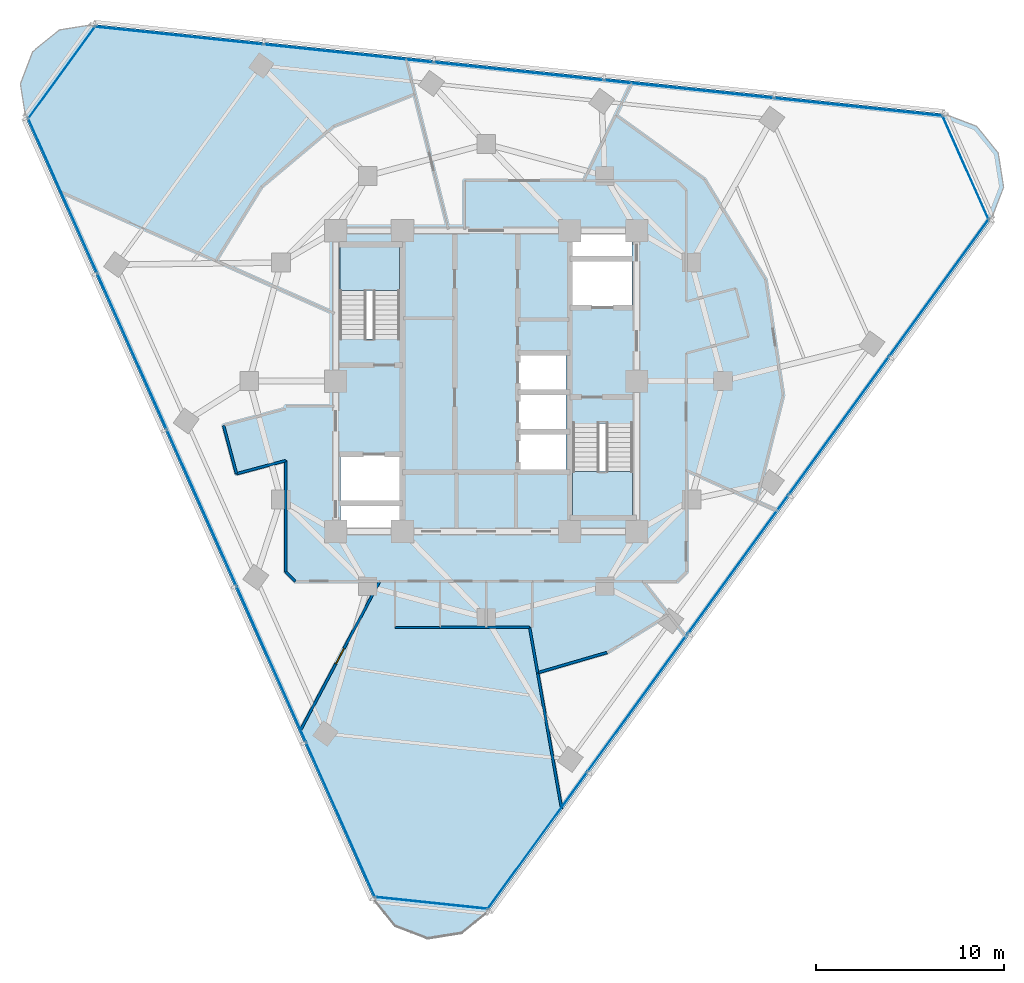
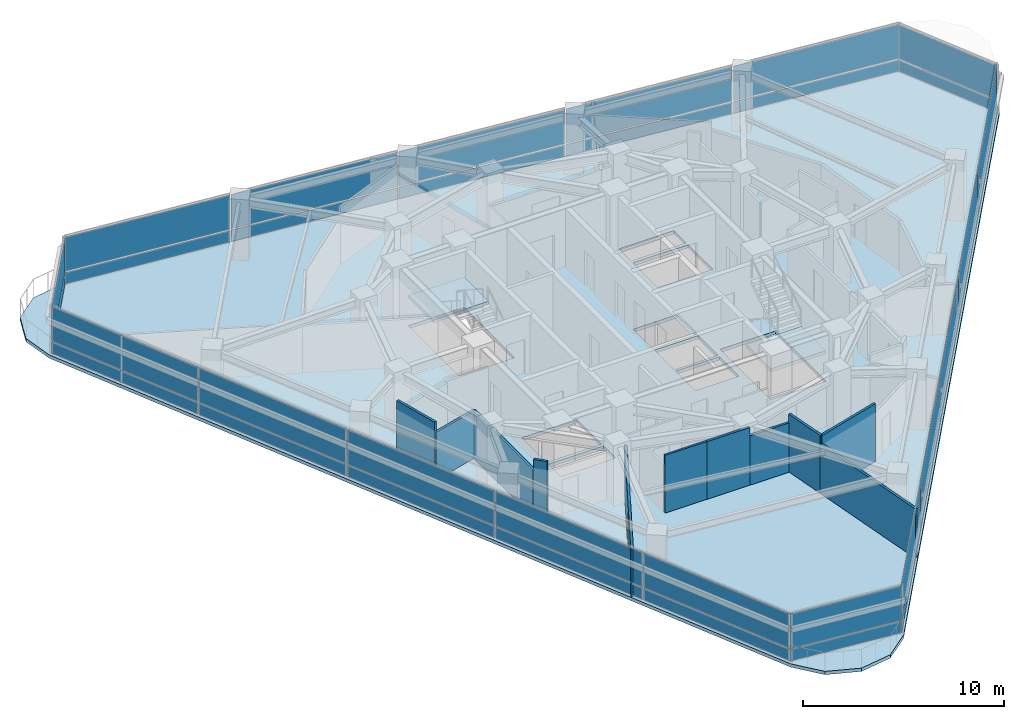
# One storey, part 7 of 15: 36 plates, 11 walls, 3 slabs, 1 door, 1 opening, 8 elements without a shape of their own.
"""IFC4 building model written with IfcOpenShell, lengths in metres."""

from ifc_helpers import new_model, si_unit, direction, frame, frame_2d, origin, origin_2d, place, context, subcontext, project, spatial, polyline, rectangle, outline, extrude, material, layer, layer_set, type_object, element, fill, aggregate, save


model = new_model("IFC4")

# Units and contexts
model_context = context("Model", 3, precision=1e-05, world=origin(), true_north=direction((0.0, 1.0)))
body_context = subcontext(model_context, "Body", "Model", "MODEL_VIEW")
ifc_project = project(units=[si_unit("LENGTHUNIT", "METRE"), si_unit("AREAUNIT", "SQUARE_METRE"), si_unit("VOLUMEUNIT", "CUBIC_METRE"), si_unit("PLANEANGLEUNIT", "RADIAN"), si_unit("MASSUNIT", "GRAM", prefix="KILO")], contexts=[model_context])

# Site, building, storey
site_placement = place(None, origin())
site = spatial("IfcSite", under=ifc_project, at=site_placement, CompositionType="ELEMENT")
building_placement = place(site_placement, origin())
building = spatial("IfcBuilding", under=site, at=building_placement, Name="Terralouvre Media Tower", CompositionType="ELEMENT")
storey_placement = place(building_placement, frame((0.0, 0.0, 233.699951171875)))
storey = spatial("IfcBuildingStorey", under=building, at=storey_placement, Name="L60", CompositionType="ELEMENT", Elevation=233.699951171875)

# Slab
ifc_material_1 = material(Name="Concrete C40/50", Category="concrete")
ifc_layer_1 = layer(ifc_material_1, 0.199951171875, Name="Composite Tower Floor Slab S-TYP200")
ifc_layer_set_1 = layer_set([ifc_layer_1], Name="Concrete C40/50")
slab_type_1 = type_object("IfcSlabType", Name="Composite Tower Floor Slab S-TYP200", PredefinedType="FLOOR", material=ifc_layer_set_1)
slab_1_placement = place(storey_placement, frame((0.0, 0.0, -0.199951171875), z_axis=(0.0, 0.0, 1.0), x_axis=(0.587785252292, 0.809016994375, 0.0)))
element("IfcSlab", 1, at=slab_1_placement, inside=storey, type_object=slab_type_1, Name="L60 Structural Floor Slab", PredefinedType="FLOOR", context=body_context, shape_type="SweptSolid", body=[
    extrude(outline(polyline([(-25.824462890625, -11.359619140625), (-26.300048828125, -13.134765625), (-25.824462890625, -14.90966796875), (-24.52490234375, -16.209228515625), (-22.75, -16.684814453125), (22.75, -16.684814453125), (24.52490234375, -16.209228515625), (25.824462890625, -14.90966796875), (26.300048828125, -13.134765625), (25.824462890625, -11.359619140625), (3.074462890625, 28.04443359375), (1.77490234375, 29.34375), (0.0, 29.8193359375), (-1.77490234375, 29.34375), (-3.074462890625, 28.04443359375), (-25.824462890625, -11.359619140625)]), holes=[polyline([(-8.043212890625, -0.157958984375), (-9.01416015625, -0.86328125), (-10.86572265625, 1.68505859375), (-9.894775390625, 2.390380859375), (-8.043212890625, -0.157958984375)]), polyline([(-5.8994140625, 1.399658203125), (-7.881591796875, -0.040283203125), (-9.733154296875, 2.508056640625), (-7.7509765625, 3.9482421875), (-5.8994140625, 1.399658203125)]), polyline([(-3.169677734375, -7.98876953125), (0.887451171875, -5.041015625), (2.7568359375, -7.61376953125), (-1.300537109375, -10.5615234375), (-3.169677734375, -7.98876953125)]), polyline([(0.2490234375, -5.072265625), (-1.320556640625, -6.212646484375), (-2.7900390625, -4.190185546875), (-1.220458984375, -3.0498046875), (0.2490234375, -5.072265625)]), polyline([(1.947998046875, -3.838134765625), (0.37841796875, -4.978271484375), (-1.091064453125, -2.955810546875), (0.478515625, -1.8154296875), (1.947998046875, -3.838134765625)]), polyline([(3.64697265625, -2.603759765625), (2.077392578125, -3.743896484375), (0.60791015625, -1.721435546875), (2.177490234375, -0.5810546875), (3.64697265625, -2.603759765625)]), polyline([(3.169677734375, 7.98876953125), (-0.887451171875, 5.041015625), (-2.7568359375, 7.61376953125), (1.300537109375, 10.5615234375), (3.169677734375, 7.98876953125)]), polyline([(7.7509765625, -3.9482421875), (5.8994140625, -1.399658203125), (7.881591796875, 0.040283203125), (9.733154296875, -2.508056640625), (7.7509765625, -3.9482421875)]), polyline([(9.894775390625, -2.390380859375), (8.043212890625, 0.157958984375), (9.01416015625, 0.86328125), (10.86572265625, -1.68505859375), (9.894775390625, -2.390380859375)])]), origin(), (0.0, 0.0, 1.0), 0.199951171875),
])

# Stair, slab
ifc_material_2 = material(Name="Concrete C45/55", Category="concrete")
stair_type_1 = type_object("IfcStairType", Name="Dogleg Stair Assembly ST-01", PredefinedType="HALF_TURN_STAIR", material=ifc_material_2)
stair_1_placement = place(storey_placement, origin())
stair_1 = element("IfcStair", 2, at=stair_1_placement, inside=storey, type_object=stair_type_1, Name="L60 Core Pressurised Exit Stair ST-01", PredefinedType="HALF_TURN_STAIR")
ifc_material_3 = material(Name="Concrete C45/55", Category="concrete")
ifc_layer_2 = layer(ifc_material_3, 0.199951171875, Name="Reinforced Concrete Stair Half-Landing SL-LD1")
ifc_layer_set_2 = layer_set([ifc_layer_2], Name="Concrete C45/55")
slab_type_2 = type_object("IfcSlabType", Name="Reinforced Concrete Stair Half-Landing SL-LD1", PredefinedType="LANDING", material=ifc_layer_set_2)
slab_2_placement = place(storey_placement, frame((0.0, 0.0, 1.650146484375)))
slab_2 = element("IfcSlab", 3, at=slab_2_placement, type_object=slab_type_2, Name="ST-01 landing 1", PredefinedType="LANDING", context=body_context, shape_type="SweptSolid", body=[
    extrude(outline(polyline([(-4.60009765625, 4.820068359375), (-4.60009765625, 7.260009765625), (-7.780029296875, 7.260009765625), (-7.780029296875, 4.820068359375), (-4.60009765625, 4.820068359375)])), origin(), (0.0, 0.0, 1.0), 0.199951171875),
])
aggregate(stair_1, [slab_2])

ifc_material_4 = material(Name="Concrete C45/55", Category="concrete")
stair_type_2 = type_object("IfcStairType", Name="Dogleg Stair Assembly ST-02", PredefinedType="HALF_TURN_STAIR", material=ifc_material_4)
stair_2_placement = place(storey_placement, origin())
stair_2 = element("IfcStair", 4, at=stair_2_placement, inside=storey, type_object=stair_type_2, Name="L60 Core Pressurised Exit Stair ST-02", PredefinedType="HALF_TURN_STAIR")
slab_3_placement = place(storey_placement, frame((0.0, 0.0, 1.650146484375)))
slab_3 = element("IfcSlab", 5, at=slab_3_placement, type_object=slab_type_2, Name="ST-02 landing 1", PredefinedType="LANDING", context=body_context, shape_type="SweptSolid", body=[
    extrude(outline(polyline([(4.60009765625, -4.820068359375), (4.60009765625, -7.260009765625), (7.780029296875, -7.260009765625), (7.780029296875, -4.820068359375), (4.60009765625, -4.820068359375)])), origin(), (0.0, 0.0, 1.0), 0.199951171875),
])
aggregate(stair_2, [slab_3])

# Curtain wall, plates
ifc_material_5 = material(Name="Low-iron laminated double glazing with solar-control coating", Category="glass")
ifc_layer_3 = layer(ifc_material_5, 0.1650390625, Name="Rounded Wind-Corner Curved Glazing CW-04")
ifc_layer_set_3 = layer_set([ifc_layer_3], Name="Low-iron laminated double glazing with solar-control coating")
curtain_wall_type_1 = type_object("IfcCurtainWallType", Name="Rounded Wind-Corner Curved Glazing CW-04", PredefinedType="NOTDEFINED", material=ifc_layer_set_3)
curtain_wall_1_placement = place(storey_placement, origin())
curtain_wall_1 = element("IfcCurtainWall", 6, at=curtain_wall_1_placement, inside=storey, type_object=curtain_wall_type_1, Name="L60 Rounded Wind-Corner Curtain Wall C0", PredefinedType="NOTDEFINED")
ifc_material_6 = material(Name="Low-iron laminated double glazing with solar-control coating", Category="glass")
ifc_layer_4 = layer(ifc_material_6, 0.0400390625, Name="Rounded Corner Laminated Vision Panel CWP-03")
ifc_layer_set_4 = layer_set([ifc_layer_4], Name="Low-iron laminated double glazing with solar-control coating")
plate_type_1 = type_object("IfcPlateType", Name="Rounded Corner Laminated Vision Panel CWP-03", PredefinedType="CURTAIN_PANEL", material=ifc_layer_set_4)
plate_1_placement = place(storey_placement, frame((-2.916748046875, -27.75146484375, 0.074951171875), z_axis=(0.0, 0.0, 1.0), x_axis=(0.994521944551, -0.104527995322, 0.0)))
plate_1 = element("IfcPlate", 7, at=plate_1_placement, type_object=plate_type_1, Name="CW-04 panel 1.1", PredefinedType="CURTAIN_PANEL", context=body_context, shape_type="SweptSolid", body=[
    extrude(rectangle(XDim=5.998779296875, YDim=0.035888671875, at=origin_2d()), origin(), (0.0, 0.0, 1.0), 0.6875),
])
plate_2_placement = place(storey_placement, frame((-2.916748046875, -27.75146484375, 0.837646484375), z_axis=(0.0, 0.0, 1.0), x_axis=(0.994521944551, -0.104527995322, 0.0)))
plate_2 = element("IfcPlate", 8, at=plate_2_placement, type_object=plate_type_1, Name="CW-04 panel 1.2", PredefinedType="CURTAIN_PANEL", context=body_context, shape_type="SweptSolid", body=[
    extrude(rectangle(XDim=5.998779296875, YDim=0.035888671875, at=origin_2d()), origin(), (0.0, 0.0, 1.0), 2.08740234375),
])
aggregate(curtain_wall_1, [plate_1, plate_2])

curtain_wall_2_placement = place(storey_placement, origin())
curtain_wall_2 = element("IfcCurtainWall", 9, at=curtain_wall_2_placement, inside=storey, type_object=curtain_wall_type_1, Name="L60 Rounded Wind-Corner Curtain Wall C1", PredefinedType="NOTDEFINED")
plate_3_placement = place(storey_placement, frame((25.491943359375, 11.349853515625, 0.074951171875), z_axis=(0.0, 0.0, 1.0), x_axis=(-0.406737441315, 0.913545102243, 0.0)))
plate_3 = element("IfcPlate", 10, at=plate_3_placement, type_object=plate_type_1, Name="CW-04 panel 1.1", PredefinedType="CURTAIN_PANEL", context=body_context, shape_type="SweptSolid", body=[
    extrude(rectangle(XDim=5.998779296875, YDim=0.035888671875, at=origin_2d()), origin(), (0.0, 0.0, 1.0), 0.6875),
])
plate_4_placement = place(storey_placement, frame((25.491943359375, 11.349853515625, 0.837646484375), z_axis=(0.0, 0.0, 1.0), x_axis=(-0.406737441315, 0.913545102243, 0.0)))
plate_4 = element("IfcPlate", 11, at=plate_4_placement, type_object=plate_type_1, Name="CW-04 panel 1.2", PredefinedType="CURTAIN_PANEL", context=body_context, shape_type="SweptSolid", body=[
    extrude(rectangle(XDim=5.998779296875, YDim=0.035888671875, at=origin_2d()), origin(), (0.0, 0.0, 1.0), 2.08740234375),
])
aggregate(curtain_wall_2, [plate_3, plate_4])

curtain_wall_3_placement = place(storey_placement, origin())
curtain_wall_3 = element("IfcCurtainWall", 12, at=curtain_wall_3_placement, inside=storey, type_object=curtain_wall_type_1, Name="L60 Rounded Wind-Corner Curtain Wall C2", PredefinedType="NOTDEFINED")
plate_5_placement = place(storey_placement, frame((-22.5751953125, 16.40185546875, 0.074951171875), z_axis=(0.0, 0.0, 1.0), x_axis=(-0.58778588998, -0.809016531067, 0.0)))
plate_5 = element("IfcPlate", 13, at=plate_5_placement, type_object=plate_type_1, Name="CW-04 panel 1.1", PredefinedType="CURTAIN_PANEL", context=body_context, shape_type="SweptSolid", body=[
    extrude(rectangle(XDim=5.998779296875, YDim=0.035888671875, at=origin_2d()), origin(), (0.0, 0.0, 1.0), 0.6875),
])
plate_6_placement = place(storey_placement, frame((-22.5751953125, 16.40185546875, 0.837646484375), z_axis=(0.0, 0.0, 1.0), x_axis=(-0.58778588998, -0.809016531067, 0.0)))
plate_6 = element("IfcPlate", 14, at=plate_6_placement, type_object=plate_type_1, Name="CW-04 panel 1.2", PredefinedType="CURTAIN_PANEL", context=body_context, shape_type="SweptSolid", body=[
    extrude(rectangle(XDim=5.998779296875, YDim=0.035888671875, at=origin_2d()), origin(), (0.0, 0.0, 1.0), 2.08740234375),
])
aggregate(curtain_wall_3, [plate_5, plate_6])

ifc_material_7 = material(Name="Low-iron laminated double glazing with solar-control coating", Category="glass")
ifc_layer_5 = layer(ifc_material_7, 0.1650390625, Name="Upper Executive Tower Curtain Wall CW-05")
ifc_layer_set_5 = layer_set([ifc_layer_5], Name="Low-iron laminated double glazing with solar-control coating")
curtain_wall_type_2 = type_object("IfcCurtainWallType", Name="Upper Executive Tower Curtain Wall CW-05", PredefinedType="NOTDEFINED", material=ifc_layer_set_5)
curtain_wall_4_placement = place(storey_placement, origin())
curtain_wall_4 = element("IfcCurtainWall", 15, at=curtain_wall_4_placement, inside=storey, type_object=curtain_wall_type_2, Name="L60 Facade Curtain Wall F0", PredefinedType="NOTDEFINED")
ifc_material_8 = material(Name="Low-iron laminated double glazing with solar-control coating", Category="glass")
ifc_layer_6 = layer(ifc_material_8, 0.035888671875, Name="Vision Double-Glazed Unit CWP-01")
ifc_layer_set_6 = layer_set([ifc_layer_6], Name="Low-iron laminated double glazing with solar-control coating")
plate_type_2 = type_object("IfcPlateType", Name="Vision Double-Glazed Unit CWP-01", PredefinedType="CURTAIN_PANEL", material=ifc_layer_set_6)
plate_7_placement = place(storey_placement, frame((2.71435546875, -24.4453125, 0.074951171875), z_axis=(0.0, 0.0, 1.0), x_axis=(0.587785300879, 0.809016959074, 0.0)))
plate_7 = element("IfcPlate", 16, at=plate_7_placement, type_object=plate_type_2, Name="CW-05 panel 1.1", PredefinedType="CURTAIN_PANEL", context=body_context, shape_type="SweptSolid", body=[
    extrude(rectangle(XDim=8.987548828125, YDim=0.035888671875, at=origin_2d()), origin(), (0.0, 0.0, 1.0), 0.6875),
])
plate_8_placement = place(storey_placement, frame((2.71435546875, -24.4453125, 0.837646484375), z_axis=(0.0, 0.0, 1.0), x_axis=(0.587785300879, 0.809016959074, 0.0)))
plate_8 = element("IfcPlate", 17, at=plate_8_placement, type_object=plate_type_2, Name="CW-05 panel 1.2", PredefinedType="CURTAIN_PANEL", context=body_context, shape_type="SweptSolid", body=[
    extrude(rectangle(XDim=8.987548828125, YDim=0.035888671875, at=origin_2d()), origin(), (0.0, 0.0, 1.0), 2.08740234375),
])
plate_9_placement = place(storey_placement, frame((8.05224609375, -17.0986328125, 0.074951171875), z_axis=(0.0, 0.0, 1.0), x_axis=(0.587785300879, 0.809016959074, 0.0)))
plate_9 = element("IfcPlate", 18, at=plate_9_placement, type_object=plate_type_2, Name="CW-05 panel 2.1", PredefinedType="CURTAIN_PANEL", context=body_context, shape_type="SweptSolid", body=[
    extrude(rectangle(XDim=9.02490234375, YDim=0.035888671875, at=origin_2d()), origin(), (0.0, 0.0, 1.0), 0.6875),
])
plate_10_placement = place(storey_placement, frame((8.05224609375, -17.0986328125, 0.837646484375), z_axis=(0.0, 0.0, 1.0), x_axis=(0.587785300879, 0.809016959074, 0.0)))
plate_10 = element("IfcPlate", 19, at=plate_10_placement, type_object=plate_type_2, Name="CW-05 panel 2.2", PredefinedType="CURTAIN_PANEL", context=body_context, shape_type="SweptSolid", body=[
    extrude(rectangle(XDim=9.02490234375, YDim=0.035888671875, at=origin_2d()), origin(), (0.0, 0.0, 1.0), 2.08740234375),
])
plate_11_placement = place(storey_placement, frame((13.401123046875, -9.736572265625, 0.074951171875), z_axis=(0.0, 0.0, 1.0), x_axis=(0.587785300879, 0.809016959074, 0.0)))
plate_11 = element("IfcPlate", 20, at=plate_11_placement, type_object=plate_type_2, Name="CW-05 panel 3.1", PredefinedType="CURTAIN_PANEL", context=body_context, shape_type="SweptSolid", body=[
    extrude(rectangle(XDim=9.02490234375, YDim=0.035888671875, at=origin_2d()), origin(), (0.0, 0.0, 1.0), 0.6875),
])
plate_12_placement = place(storey_placement, frame((13.401123046875, -9.736572265625, 0.837646484375), z_axis=(0.0, 0.0, 1.0), x_axis=(0.587785300879, 0.809016959074, 0.0)))
plate_12 = element("IfcPlate", 21, at=plate_12_placement, type_object=plate_type_2, Name="CW-05 panel 3.2", PredefinedType="CURTAIN_PANEL", context=body_context, shape_type="SweptSolid", body=[
    extrude(rectangle(XDim=9.02490234375, YDim=0.035888671875, at=origin_2d()), origin(), (0.0, 0.0, 1.0), 2.08740234375),
])
plate_13_placement = place(storey_placement, frame((18.75, -2.37451171875, 0.074951171875), z_axis=(0.0, 0.0, 1.0), x_axis=(0.587785300879, 0.809016959074, 0.0)))
plate_13 = element("IfcPlate", 22, at=plate_13_placement, type_object=plate_type_2, Name="CW-05 panel 4.1", PredefinedType="CURTAIN_PANEL", context=body_context, shape_type="SweptSolid", body=[
    extrude(rectangle(XDim=9.02490234375, YDim=0.035888671875, at=origin_2d()), origin(), (0.0, 0.0, 1.0), 0.6875),
])
plate_14_placement = place(storey_placement, frame((18.75, -2.37451171875, 0.837646484375), z_axis=(0.0, 0.0, 1.0), x_axis=(0.587785300879, 0.809016959074, 0.0)))
plate_14 = element("IfcPlate", 23, at=plate_14_placement, type_object=plate_type_2, Name="CW-05 panel 4.2", PredefinedType="CURTAIN_PANEL", context=body_context, shape_type="SweptSolid", body=[
    extrude(rectangle(XDim=9.02490234375, YDim=0.035888671875, at=origin_2d()), origin(), (0.0, 0.0, 1.0), 2.08740234375),
])
plate_15_placement = place(storey_placement, frame((24.087890625, 4.972412109375, 0.074951171875), z_axis=(0.0, 0.0, 1.0), x_axis=(0.587785300879, 0.809016959074, 0.0)))
plate_15 = element("IfcPlate", 24, at=plate_15_placement, type_object=plate_type_2, Name="CW-05 panel 5.1", PredefinedType="CURTAIN_PANEL", context=body_context, shape_type="SweptSolid", body=[
    extrude(rectangle(XDim=8.987548828125, YDim=0.035888671875, at=origin_2d()), origin(), (0.0, 0.0, 1.0), 0.6875),
])
plate_16_placement = place(storey_placement, frame((24.087890625, 4.972412109375, 0.837646484375), z_axis=(0.0, 0.0, 1.0), x_axis=(0.587785300879, 0.809016959074, 0.0)))
plate_16 = element("IfcPlate", 25, at=plate_16_placement, type_object=plate_type_2, Name="CW-05 panel 5.2", PredefinedType="CURTAIN_PANEL", context=body_context, shape_type="SweptSolid", body=[
    extrude(rectangle(XDim=8.987548828125, YDim=0.035888671875, at=origin_2d()), origin(), (0.0, 0.0, 1.0), 2.08740234375),
])
aggregate(curtain_wall_4, [plate_7, plate_8, plate_9, plate_10, plate_11, plate_12, plate_13, plate_14, plate_15, plate_16])

curtain_wall_5_placement = place(storey_placement, origin())
curtain_wall_5 = element("IfcCurtainWall", 26, at=curtain_wall_5_placement, inside=storey, type_object=curtain_wall_type_2, Name="L60 Facade Curtain Wall F1", PredefinedType="NOTDEFINED")
plate_17_placement = place(storey_placement, frame((19.813232421875, 14.573486328125, 0.074951171875), z_axis=(0.0, 0.0, 1.0), x_axis=(-0.994521885028, 0.104528561651, 0.0)))
plate_17 = element("IfcPlate", 27, at=plate_17_placement, type_object=plate_type_2, Name="CW-05 panel 1.1", PredefinedType="CURTAIN_PANEL", context=body_context, shape_type="SweptSolid", body=[
    extrude(rectangle(XDim=8.987548828125, YDim=0.035888671875, at=origin_2d()), origin(), (0.0, 0.0, 1.0), 0.6875),
])
plate_18_placement = place(storey_placement, frame((19.813232421875, 14.573486328125, 0.837646484375), z_axis=(0.0, 0.0, 1.0), x_axis=(-0.994521885028, 0.104528561651, 0.0)))
plate_18 = element("IfcPlate", 28, at=plate_18_placement, type_object=plate_type_2, Name="CW-05 panel 1.2", PredefinedType="CURTAIN_PANEL", context=body_context, shape_type="SweptSolid", body=[
    extrude(rectangle(XDim=8.987548828125, YDim=0.035888671875, at=origin_2d()), origin(), (0.0, 0.0, 1.0), 2.08740234375),
])
plate_19_placement = place(storey_placement, frame((10.78173828125, 15.522705078125, 0.074951171875), z_axis=(0.0, 0.0, 1.0), x_axis=(-0.994521885028, 0.104528561651, 0.0)))
plate_19 = element("IfcPlate", 29, at=plate_19_placement, type_object=plate_type_2, Name="CW-05 panel 2.1", PredefinedType="CURTAIN_PANEL", context=body_context, shape_type="SweptSolid", body=[
    extrude(rectangle(XDim=9.02490234375, YDim=0.035888671875, at=origin_2d()), origin(), (0.0, 0.0, 1.0), 0.6875),
])
plate_20_placement = place(storey_placement, frame((10.78173828125, 15.522705078125, 0.837646484375), z_axis=(0.0, 0.0, 1.0), x_axis=(-0.994521885028, 0.104528561651, 0.0)))
plate_20 = element("IfcPlate", 30, at=plate_20_placement, type_object=plate_type_2, Name="CW-05 panel 2.2", PredefinedType="CURTAIN_PANEL", context=body_context, shape_type="SweptSolid", body=[
    extrude(rectangle(XDim=9.02490234375, YDim=0.035888671875, at=origin_2d()), origin(), (0.0, 0.0, 1.0), 2.08740234375),
])
plate_21_placement = place(storey_placement, frame((1.7314453125, 16.473876953125, 0.074951171875), z_axis=(0.0, 0.0, 1.0), x_axis=(-0.994521885028, 0.104528561651, 0.0)))
plate_21 = element("IfcPlate", 31, at=plate_21_placement, type_object=plate_type_2, Name="CW-05 panel 3.1", PredefinedType="CURTAIN_PANEL", context=body_context, shape_type="SweptSolid", body=[
    extrude(rectangle(XDim=9.02490234375, YDim=0.035888671875, at=origin_2d()), origin(), (0.0, 0.0, 1.0), 0.6875),
])
plate_22_placement = place(storey_placement, frame((1.7314453125, 16.473876953125, 0.837646484375), z_axis=(0.0, 0.0, 1.0), x_axis=(-0.994521885028, 0.104528561651, 0.0)))
plate_22 = element("IfcPlate", 32, at=plate_22_placement, type_object=plate_type_2, Name="CW-05 panel 3.2", PredefinedType="CURTAIN_PANEL", context=body_context, shape_type="SweptSolid", body=[
    extrude(rectangle(XDim=9.02490234375, YDim=0.035888671875, at=origin_2d()), origin(), (0.0, 0.0, 1.0), 2.08740234375),
])
plate_23_placement = place(storey_placement, frame((-7.318603515625, 17.42529296875, 0.074951171875), z_axis=(0.0, 0.0, 1.0), x_axis=(-0.994521885028, 0.104528561651, 0.0)))
plate_23 = element("IfcPlate", 33, at=plate_23_placement, type_object=plate_type_2, Name="CW-05 panel 4.1", PredefinedType="CURTAIN_PANEL", context=body_context, shape_type="SweptSolid", body=[
    extrude(rectangle(XDim=9.02490234375, YDim=0.035888671875, at=origin_2d()), origin(), (0.0, 0.0, 1.0), 0.6875),
])
plate_24_placement = place(storey_placement, frame((-7.318603515625, 17.42529296875, 0.837646484375), z_axis=(0.0, 0.0, 1.0), x_axis=(-0.994521885028, 0.104528561651, 0.0)))
plate_24 = element("IfcPlate", 34, at=plate_24_placement, type_object=plate_type_2, Name="CW-05 panel 4.2", PredefinedType="CURTAIN_PANEL", context=body_context, shape_type="SweptSolid", body=[
    extrude(rectangle(XDim=9.02490234375, YDim=0.035888671875, at=origin_2d()), origin(), (0.0, 0.0, 1.0), 2.08740234375),
])
plate_25_placement = place(storey_placement, frame((-16.35009765625, 18.37451171875, 0.074951171875), z_axis=(0.0, 0.0, 1.0), x_axis=(-0.994521885028, 0.104528561651, 0.0)))
plate_25 = element("IfcPlate", 35, at=plate_25_placement, type_object=plate_type_2, Name="CW-05 panel 5.1", PredefinedType="CURTAIN_PANEL", context=body_context, shape_type="SweptSolid", body=[
    extrude(rectangle(XDim=8.987548828125, YDim=0.035888671875, at=origin_2d()), origin(), (0.0, 0.0, 1.0), 0.6875),
])
plate_26_placement = place(storey_placement, frame((-16.35009765625, 18.37451171875, 0.837646484375), z_axis=(0.0, 0.0, 1.0), x_axis=(-0.994521885028, 0.104528561651, 0.0)))
plate_26 = element("IfcPlate", 36, at=plate_26_placement, type_object=plate_type_2, Name="CW-05 panel 5.2", PredefinedType="CURTAIN_PANEL", context=body_context, shape_type="SweptSolid", body=[
    extrude(rectangle(XDim=8.987548828125, YDim=0.035888671875, at=origin_2d()), origin(), (0.0, 0.0, 1.0), 2.08740234375),
])
aggregate(curtain_wall_5, [plate_17, plate_18, plate_19, plate_20, plate_21, plate_22, plate_23, plate_24, plate_25, plate_26])

curtain_wall_6_placement = place(storey_placement, origin())
curtain_wall_6 = element("IfcCurtainWall", 37, at=curtain_wall_6_placement, inside=storey, type_object=curtain_wall_type_2, Name="L60 Facade Curtain Wall F2", PredefinedType="NOTDEFINED")
plate_27_placement = place(storey_placement, frame((-22.527587890625, 9.871826171875, 0.074951171875), z_axis=(0.0, 0.0, 1.0), x_axis=(0.406736679636, -0.913545441365, 0.0)))
plate_27 = element("IfcPlate", 38, at=plate_27_placement, type_object=plate_type_2, Name="CW-05 panel 1.1", PredefinedType="CURTAIN_PANEL", context=body_context, shape_type="SweptSolid", body=[
    extrude(rectangle(XDim=8.987548828125, YDim=0.035888671875, at=origin_2d()), origin(), (0.0, 0.0, 1.0), 0.6875),
])
plate_28_placement = place(storey_placement, frame((-22.527587890625, 9.871826171875, 0.837646484375), z_axis=(0.0, 0.0, 1.0), x_axis=(0.406736679636, -0.913545441365, 0.0)))
plate_28 = element("IfcPlate", 39, at=plate_28_placement, type_object=plate_type_2, Name="CW-05 panel 1.2", PredefinedType="CURTAIN_PANEL", context=body_context, shape_type="SweptSolid", body=[
    extrude(rectangle(XDim=8.987548828125, YDim=0.035888671875, at=origin_2d()), origin(), (0.0, 0.0, 1.0), 2.08740234375),
])
plate_29_placement = place(storey_placement, frame((-18.833984375, 1.57568359375, 0.074951171875), z_axis=(0.0, 0.0, 1.0), x_axis=(0.406736679636, -0.913545441365, 0.0)))
plate_29 = element("IfcPlate", 40, at=plate_29_placement, type_object=plate_type_2, Name="CW-05 panel 2.1", PredefinedType="CURTAIN_PANEL", context=body_context, shape_type="SweptSolid", body=[
    extrude(rectangle(XDim=9.02490234375, YDim=0.035888671875, at=origin_2d()), origin(), (0.0, 0.0, 1.0), 0.6875),
])
plate_30_placement = place(storey_placement, frame((-18.833984375, 1.57568359375, 0.837646484375), z_axis=(0.0, 0.0, 1.0), x_axis=(0.406736679636, -0.913545441365, 0.0)))
plate_30 = element("IfcPlate", 41, at=plate_30_placement, type_object=plate_type_2, Name="CW-05 panel 2.2", PredefinedType="CURTAIN_PANEL", context=body_context, shape_type="SweptSolid", body=[
    extrude(rectangle(XDim=9.02490234375, YDim=0.035888671875, at=origin_2d()), origin(), (0.0, 0.0, 1.0), 2.08740234375),
])
plate_31_placement = place(storey_placement, frame((-15.132568359375, -6.737548828125, 0.074951171875), z_axis=(0.0, 0.0, 1.0), x_axis=(0.406736679636, -0.913545441365, 0.0)))
plate_31 = element("IfcPlate", 42, at=plate_31_placement, type_object=plate_type_2, Name="CW-05 panel 3.1", PredefinedType="CURTAIN_PANEL", context=body_context, shape_type="SweptSolid", body=[
    extrude(rectangle(XDim=9.02490234375, YDim=0.035888671875, at=origin_2d()), origin(), (0.0, 0.0, 1.0), 0.6875),
])
plate_32_placement = place(storey_placement, frame((-15.132568359375, -6.737548828125, 0.837646484375), z_axis=(0.0, 0.0, 1.0), x_axis=(0.406736679636, -0.913545441365, 0.0)))
plate_32 = element("IfcPlate", 43, at=plate_32_placement, type_object=plate_type_2, Name="CW-05 panel 3.2", PredefinedType="CURTAIN_PANEL", context=body_context, shape_type="SweptSolid", body=[
    extrude(rectangle(XDim=9.02490234375, YDim=0.035888671875, at=origin_2d()), origin(), (0.0, 0.0, 1.0), 2.08740234375),
])
plate_33_placement = place(storey_placement, frame((-11.431396484375, -15.05078125, 0.074951171875), z_axis=(0.0, 0.0, 1.0), x_axis=(0.406736679636, -0.913545441365, 0.0)))
plate_33 = element("IfcPlate", 44, at=plate_33_placement, type_object=plate_type_2, Name="CW-05 panel 4.1", PredefinedType="CURTAIN_PANEL", context=body_context, shape_type="SweptSolid", body=[
    extrude(rectangle(XDim=9.02490234375, YDim=0.035888671875, at=origin_2d()), origin(), (0.0, 0.0, 1.0), 0.6875),
])
plate_34_placement = place(storey_placement, frame((-11.431396484375, -15.05078125, 0.837646484375), z_axis=(0.0, 0.0, 1.0), x_axis=(0.406736679636, -0.913545441365, 0.0)))
plate_34 = element("IfcPlate", 45, at=plate_34_placement, type_object=plate_type_2, Name="CW-05 panel 4.2", PredefinedType="CURTAIN_PANEL", context=body_context, shape_type="SweptSolid", body=[
    extrude(rectangle(XDim=9.02490234375, YDim=0.035888671875, at=origin_2d()), origin(), (0.0, 0.0, 1.0), 2.08740234375),
])
plate_35_placement = place(storey_placement, frame((-7.737548828125, -23.346923828125, 0.074951171875), z_axis=(0.0, 0.0, 1.0), x_axis=(0.406736679636, -0.913545441365, 0.0)))
plate_35 = element("IfcPlate", 46, at=plate_35_placement, type_object=plate_type_2, Name="CW-05 panel 5.1", PredefinedType="CURTAIN_PANEL", context=body_context, shape_type="SweptSolid", body=[
    extrude(rectangle(XDim=8.987548828125, YDim=0.035888671875, at=origin_2d()), origin(), (0.0, 0.0, 1.0), 0.6875),
])
plate_36_placement = place(storey_placement, frame((-7.737548828125, -23.346923828125, 0.837646484375), z_axis=(0.0, 0.0, 1.0), x_axis=(0.406736679636, -0.913545441365, 0.0)))
plate_36 = element("IfcPlate", 47, at=plate_36_placement, type_object=plate_type_2, Name="CW-05 panel 5.2", PredefinedType="CURTAIN_PANEL", context=body_context, shape_type="SweptSolid", body=[
    extrude(rectangle(XDim=8.987548828125, YDim=0.035888671875, at=origin_2d()), origin(), (0.0, 0.0, 1.0), 2.08740234375),
])
aggregate(curtain_wall_6, [plate_27, plate_28, plate_29, plate_30, plate_31, plate_32, plate_33, plate_34, plate_35, plate_36])

# Walls
ifc_material_9 = material(Name="Fire-rated gypsum board drywall partition")
ifc_layer_7 = layer(ifc_material_9, 0.135009765625, Name="Newsroom Acoustic Partition PT-135")
ifc_layer_set_7 = layer_set([ifc_layer_7], Name="Fire-rated gypsum board drywall partition")
wall_type_1 = type_object("IfcWallType", Name="Newsroom Acoustic Partition PT-135", PredefinedType="PARTITIONING", material=ifc_layer_set_7)
wall_1_placement = place(storey_placement, frame((-13.9619140625, -2.368896484375, 0.0), z_axis=(0.0, 0.0, 1.0), x_axis=(0.258413725385, -0.966034340245, 0.0)))
element("IfcWall", 48, at=wall_1_placement, inside=storey, type_object=wall_type_1, Name="L60 Interior Partition 003", PredefinedType="PARTITIONING", context=body_context, shape_type="SweptSolid", body=[
    extrude(rectangle(XDim=2.650146484375, YDim=0.135009765625, at=frame_2d((1.3251953125, 0.0))), origin(), (0.0, 0.0, 1.0), 3.5),
])
wall_2_placement = place(storey_placement, frame((-13.277099609375, -4.928955078125, 0.0), z_axis=(0.0, 0.0, 1.0), x_axis=(0.965934830229, 0.258785439601, 0.0)))
element("IfcWall", 49, at=wall_2_placement, inside=storey, type_object=wall_type_1, Name="L60 Interior Partition 004", PredefinedType="PARTITIONING", context=body_context, shape_type="SweptSolid", body=[
    extrude(rectangle(XDim=2.719970703125, YDim=0.135009765625, at=frame_2d((1.35986328125, 0.0))), origin(), (0.0, 0.0, 1.0), 2.885009765625),
])
wall_3_placement = place(storey_placement, frame((-10.64990234375, -4.22509765625, 0.0), z_axis=(0.0, 0.0, 1.0), x_axis=(0.0, -1.0, 0.0)))
element("IfcWall", 50, at=wall_3_placement, inside=storey, type_object=wall_type_1, Name="L60 Interior Partition 005", PredefinedType="PARTITIONING", context=body_context, shape_type="SweptSolid", body=[
    extrude(rectangle(XDim=5.9248046875, YDim=0.135009765625, at=frame_2d((2.96240234375, 0.0))), origin(), (0.0, 0.0, 1.0), 2.885009765625),
])
wall_4_placement = place(storey_placement, frame((-10.64990234375, -10.14990234375, 0.0), z_axis=(0.0, 0.0, 1.0), x_axis=(0.707106781187, -0.707106781187, 0.0)))
element("IfcWall", 51, at=wall_4_placement, inside=storey, type_object=wall_type_1, Name="L60 Interior Partition 006", PredefinedType="PARTITIONING", context=body_context, shape_type="SweptSolid", body=[
    extrude(rectangle(XDim=0.70703125, YDim=0.135009765625, at=frame_2d((0.353515625, 0.0))), origin(), (0.0, 0.0, 1.0), 3.5),
])

# Wall, opening, door
wall_5_placement = place(storey_placement, frame((-9.892822265625, -18.604736328125, 0.0), z_axis=(0.0, 0.0, 1.0), x_axis=(0.469478145305, 0.88294409284, 0.0)))
wall_5 = element("IfcWall", 52, at=wall_5_placement, inside=storey, type_object=wall_type_1, Name="L60 Interior Partition 025", PredefinedType="PARTITIONING", context=body_context, shape_type="SweptSolid", body=[
    extrude(rectangle(XDim=9.009521484375, YDim=0.135009765625, at=frame_2d((4.5048828125, 0.0))), origin(), (0.0, 0.0, 1.0), 2.885009765625),
])
opening_placement = place(wall_5_placement, frame((4.044677734375, 0.0, 0.0)))
opening = element("IfcOpeningElement", 53, at=opening_placement, cuts=wall_5, Name="Opening ID-03-92X210", PredefinedType="OPENING", context=body_context, shape_type="SweptSolid", body=[
    extrude(rectangle(XDim=0.919921875, YDim=2.10009765625, at=frame_2d((0.4599609375, 1.050048828125))), frame((0.0, 0.077392578125, 0.0), z_axis=(0.0, -1.0, 0.0), x_axis=(1.0, 0.0, 0.0)), (0.0, 0.0, 1.0), 0.155029296875),
])
ifc_material_10 = material(Name="Engineered hardwood acoustic timber leaf", Category="wood")
door_type = type_object("IfcDoorType", Name="Accessible Restroom and Suite Door ID-03 (920x2100)", OperationType="NOTDEFINED", PredefinedType="DOOR", material=ifc_material_10)
door_placement = place(opening_placement, origin())
door = element("IfcDoor", 54, at=door_placement, inside=storey, type_object=door_type, Name="L60 Investigative Team Office 3 Door", OperationType="SINGLE_SWING_RIGHT", OverallHeight=2.10009765625, OverallWidth=0.919921875, PredefinedType="DOOR", context=body_context, shape_type="SweptSolid", body=[
    extrude(rectangle(XDim=0.919921875, YDim=2.10009765625, at=frame_2d((0.4599609375, 1.050048828125))), frame((0.0, 0.02490234375, 0.0), z_axis=(0.0, -1.0, 0.0), x_axis=(1.0, 0.0, 0.0)), (0.0, 0.0, 1.0), 0.050048828125),
])
fill(opening, door)

# Walls
wall_6_placement = place(storey_placement, frame((0.0, -13.10009765625, 0.0), z_axis=(0.0, 0.0, 1.0), x_axis=(-1.0, 0.0, 0.0)))
element("IfcWall", 55, at=wall_6_placement, inside=storey, type_object=wall_type_1, Name="L60 Interior Partition 037", PredefinedType="PARTITIONING", context=body_context, shape_type="SweptSolid", body=[
    extrude(rectangle(XDim=2.449951171875, YDim=0.135009765625, at=frame_2d((1.22509765625, 0.0))), origin(), (0.0, 0.0, 1.0), 3.5),
])
wall_7_placement = place(storey_placement, frame((2.31005859375, -13.10009765625, 0.0), z_axis=(0.0, 0.0, 1.0), x_axis=(-1.0, 0.0, 0.0)))
element("IfcWall", 56, at=wall_7_placement, inside=storey, type_object=wall_type_1, Name="L60 Interior Partition 038", PredefinedType="PARTITIONING", context=body_context, shape_type="SweptSolid", body=[
    extrude(rectangle(XDim=2.31005859375, YDim=0.135009765625, at=frame_2d((1.155029296875, 0.0))), origin(), (0.0, 0.0, 1.0), 2.985107421875),
])
wall_8_placement = place(storey_placement, frame((4.008544921875, -22.732421875, 0.0), z_axis=(0.0, 0.0, 1.0), x_axis=(-0.173639103053, 0.984809353068, 0.0)))
element("IfcWall", 57, at=wall_8_placement, inside=storey, type_object=wall_type_1, Name="L60 Interior Partition 039", PredefinedType="PARTITIONING", context=body_context, shape_type="SweptSolid", body=[
    extrude(rectangle(XDim=7.333740234375, YDim=0.135009765625, at=frame_2d((3.6669921875, 0.0))), origin(), (0.0, 0.0, 1.0), 2.985107421875),
])
wall_9_placement = place(storey_placement, frame((2.735107421875, -15.510009765625, 0.0), z_axis=(0.0, 0.0, 1.0), x_axis=(-0.173694270709, 0.984799624453, 0.0)))
element("IfcWall", 58, at=wall_9_placement, inside=storey, type_object=wall_type_1, Name="L60 Interior Partition 040", PredefinedType="PARTITIONING", context=body_context, shape_type="SweptSolid", body=[
    extrude(rectangle(XDim=2.447021484375, YDim=0.135009765625, at=frame_2d((1.2236328125, 0.0))), origin(), (0.0, 0.0, 1.0), 3.5),
])
wall_10_placement = place(storey_placement, frame((6.426025390625, -14.43408203125, 0.0), z_axis=(0.0, 0.0, 1.0), x_axis=(-0.960041241254, -0.279858562654, 0.0)))
element("IfcWall", 59, at=wall_10_placement, inside=storey, type_object=wall_type_1, Name="L60 Interior Partition 044", PredefinedType="PARTITIONING", context=body_context, shape_type="SweptSolid", body=[
    extrude(rectangle(XDim=3.844482421875, YDim=0.135009765625, at=frame_2d((1.92236328125, 0.0))), origin(), (0.0, 0.0, 1.0), 3.5),
])
ifc_material_11 = material(Name="Fire-rated gypsum board drywall partition")
ifc_layer_8 = layer(ifc_material_11, 0.114990234375, Name="Restroom and Pantry Partition PT-115")
ifc_layer_set_8 = layer_set([ifc_layer_8], Name="Fire-rated gypsum board drywall partition")
wall_type_2 = type_object("IfcWallType", Name="Restroom and Pantry Partition PT-115", PredefinedType="PARTITIONING", material=ifc_layer_set_8)
wall_11_placement = place(storey_placement, frame((-4.85009765625, -13.10009765625, 0.0), z_axis=(0.0, 0.0, 1.0), x_axis=(1.0, 0.0, 0.0)))
element("IfcWall", 60, at=wall_11_placement, inside=storey, type_object=wall_type_2, Name="L60 Interior Partition 035", PredefinedType="PARTITIONING", context=body_context, shape_type="SweptSolid", body=[
    extrude(rectangle(XDim=2.400146484375, YDim=0.114990234375, at=frame_2d((1.2001953125, 0.0))), origin(), (0.0, 0.0, 1.0), 3.5),
])

save(model, "model.ifc")
